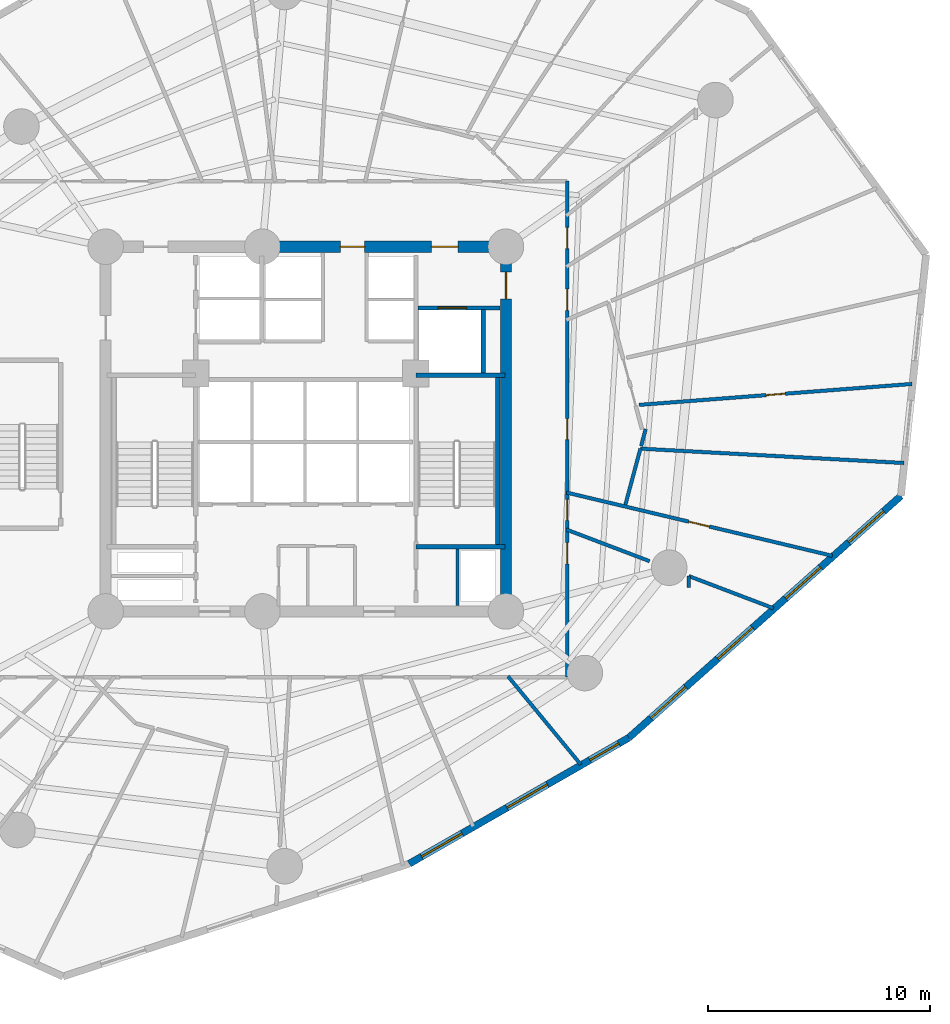
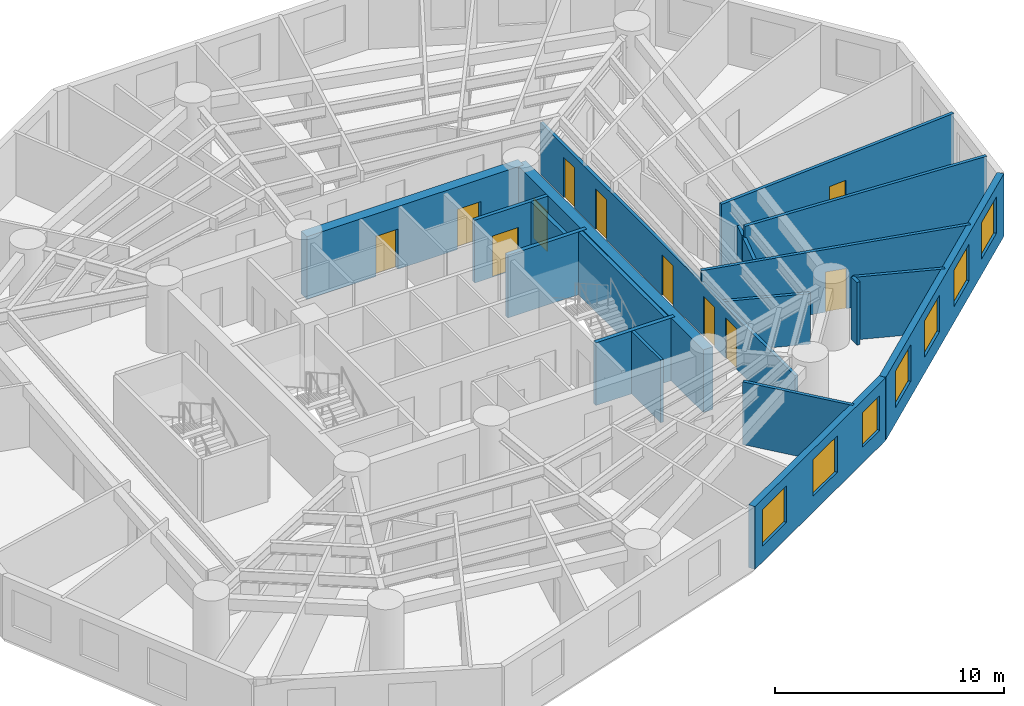
# One storey, part 5 of 8: 20 walls, 11 doors, 7 windows, 18 openings.
"""IFC4 building model written with IfcOpenShell, lengths in metres."""

from ifc_helpers import new_model, si_unit, direction, frame, frame_2d, origin, origin_with_axes, place, context, subcontext, project, spatial, rectangle, extrude, source, transform, mapped, material, layer, layer_set, type_object, element, fill, save


model = new_model("IFC4")

# Units and contexts
model_context = context("Model", 3, precision=1e-05, world=origin(), true_north=direction((0.0, 1.0)))
body_context = subcontext(model_context, "Body", "Model", "MODEL_VIEW")
ifc_project = project(units=[si_unit("LENGTHUNIT", "METRE"), si_unit("AREAUNIT", "SQUARE_METRE"), si_unit("VOLUMEUNIT", "CUBIC_METRE"), si_unit("PLANEANGLEUNIT", "RADIAN"), si_unit("MASSUNIT", "GRAM", prefix="KILO")], contexts=[model_context])

# Site, building, storey
site_placement = place(None, origin())
site = spatial("IfcSite", under=ifc_project, at=site_placement, CompositionType="ELEMENT")
building_placement = place(site_placement, origin())
building = spatial("IfcBuilding", under=site, at=building_placement, Name="Karkom Vertical University and Central Library", CompositionType="ELEMENT")
storey_placement = place(building_placement, frame((0.0, 0.0, 30.10009765625)))
storey = spatial("IfcBuildingStorey", under=building, at=storey_placement, Name="L07", CompositionType="ELEMENT", Elevation=30.10009765625)

# Wall, openings, windows
ifc_material_1 = material(Name="Brick-faced precast concrete C45/55", Category="masonry")
ifc_layer_1 = layer(ifc_material_1, 0.320068359375)
ifc_layer_set_1 = layer_set([ifc_layer_1], Name="Brick-faced precast concrete C45/55")
wall_type_1 = type_object("IfcWallType", Name="ENV-WL-BRK-320", PredefinedType="SOLIDWALL", material=ifc_layer_set_1)
wall_1_placement = place(storey_placement, frame((33.149169921875, 6.953125, 0.0), z_axis=(0.0, 0.0, 1.0), x_axis=(0.867417288738, 0.497581397561, 0.0)))
wall_1 = element("IfcWall", 1, at=wall_1_placement, inside=storey, type_object=wall_type_1, Name="Level 07 Brick-Faced Precast Facade Wall 07", PredefinedType="SOLIDWALL", context=body_context, shape_type="SweptSolid", body=[
    extrude(rectangle(XDim=11.38671875, YDim=0.320068359375, at=frame_2d((5.693359375, 0.0))), origin(), (0.0, 0.0, 1.0), 3.349853515625),
])
opening_1_placement = place(wall_1_placement, frame((0.64501953125, 0.0, 0.85009765625)))
opening_1 = element("IfcOpeningElement", 2, at=opening_1_placement, cuts=wall_1, Name="Opening WN-03", PredefinedType="OPENING", context=body_context, shape_type="SweptSolid", body=[
    extrude(rectangle(XDim=2.10009765625, YDim=1.949951171875, at=frame_2d((1.050048828125, 0.97509765625))), frame((0.0, 0.169921875, 0.0), z_axis=(0.0, -1.0, 0.0), x_axis=(1.0, 0.0, 0.0)), (0.0, 0.0, 1.0), 0.340087890625),
])
opening_2_placement = place(wall_1_placement, frame((5.0693359375, 0.0, 0.85009765625)))
opening_2 = element("IfcOpeningElement", 3, at=opening_2_placement, cuts=wall_1, Name="Opening WN-03", PredefinedType="OPENING", context=body_context, shape_type="SweptSolid", body=[
    extrude(rectangle(XDim=2.10009765625, YDim=1.949951171875, at=frame_2d((1.050048828125, 0.97509765625))), frame((0.0, 0.169921875, 0.0), z_axis=(0.0, -1.0, 0.0), x_axis=(1.0, 0.0, 0.0)), (0.0, 0.0, 1.0), 0.340087890625),
])
opening_3_placement = place(wall_1_placement, frame((9.36767578125, 0.0, 0.85009765625)))
opening_3 = element("IfcOpeningElement", 4, at=opening_3_placement, cuts=wall_1, Name="Opening WN-05", PredefinedType="OPENING", context=body_context, shape_type="SweptSolid", body=[
    extrude(rectangle(XDim=1.5, YDim=1.85009765625, at=frame_2d((0.75, 0.925048828125))), frame((0.0, 0.169921875, 0.0), z_axis=(0.0, -1.0, 0.0), x_axis=(1.0, 0.0, 0.0)), (0.0, 0.0, 1.0), 0.340087890625),
])
ifc_material_2 = material(Name="Aluminium thermal-break frame with solar-control IGU", Category="aluminium")
window_type_1 = type_object("IfcWindowType", Name="ENV-WIN-WN-03", PartitioningType="SINGLE_PANEL", PredefinedType="WINDOW", material=ifc_material_2)
shared_shape_1 = source(origin_with_axes(), body_context, "Body", "SweptSolid", [
    extrude(rectangle(XDim=2.10009765625, YDim=1.949951171875, at=frame_2d((1.050048828125, 0.97509765625))), frame((0.0, 0.030029296875, 0.0), z_axis=(0.0, -1.0, 0.0), x_axis=(1.0, 0.0, 0.0)), (0.0, 0.0, 1.0), 0.06005859375),
])
window_1_placement = place(opening_1_placement, origin())
window_1 = element("IfcWindow", 5, at=window_1_placement, inside=storey, type_object=window_type_1, Name="Level 07 Punched Window 7.1", OverallHeight=1.949951171875, OverallWidth=2.10009765625, PartitioningType="SINGLE_PANEL", PredefinedType="WINDOW", context=body_context, shape_type="MappedRepresentation", body=[
    mapped(shared_shape_1, transform((0.0, 0.0, 0.0), scale=1.0)),
])
fill(opening_1, window_1)
window_2_placement = place(opening_2_placement, origin())
window_2 = element("IfcWindow", 6, at=window_2_placement, inside=storey, type_object=window_type_1, Name="Level 07 Punched Window 7.2", OverallHeight=1.949951171875, OverallWidth=2.10009765625, PartitioningType="SINGLE_PANEL", PredefinedType="WINDOW", context=body_context, shape_type="MappedRepresentation", body=[
    mapped(shared_shape_1, transform((0.0, 0.0, 0.0), scale=1.0)),
])
fill(opening_2, window_2)
window_type_2 = type_object("IfcWindowType", Name="ENV-WIN-WN-05", PartitioningType="SINGLE_PANEL", PredefinedType="WINDOW", material=ifc_material_2)
shared_shape_2 = source(origin_with_axes(), body_context, "Body", "SweptSolid", [
    extrude(rectangle(XDim=1.5, YDim=1.85009765625, at=frame_2d((0.75, 0.925048828125))), frame((0.0, 0.030029296875, 0.0), z_axis=(0.0, -1.0, 0.0), x_axis=(1.0, 0.0, 0.0)), (0.0, 0.0, 1.0), 0.06005859375),
])
window_3_placement = place(opening_3_placement, origin())
window_3 = element("IfcWindow", 7, at=window_3_placement, inside=storey, type_object=window_type_2, Name="Level 07 Punched Window 7.3", OverallHeight=1.85009765625, OverallWidth=1.5, PartitioningType="SINGLE_PANEL", PredefinedType="WINDOW", context=body_context, shape_type="MappedRepresentation", body=[
    mapped(shared_shape_2, transform((0.0, 0.0, 0.0), scale=1.0)),
])
fill(opening_3, window_3)

wall_2_placement = place(storey_placement, frame((43.026123046875, 12.618896484375, 0.0), z_axis=(0.0, 0.0, 1.0), x_axis=(0.747496513351, 0.664265731864, 0.0)))
wall_2 = element("IfcWall", 8, at=wall_2_placement, inside=storey, type_object=wall_type_1, Name="Level 07 Brick-Faced Precast Facade Wall 08", PredefinedType="SOLIDWALL", context=body_context, shape_type="SweptSolid", body=[
    extrude(rectangle(XDim=16.373779296875, YDim=0.320068359375, at=frame_2d((8.18701171875, 0.0))), origin(), (0.0, 0.0, 1.0), 3.349853515625),
])
opening_4_placement = place(wall_2_placement, frame((1.33349609375, 0.0, 0.85009765625)))
opening_4 = element("IfcOpeningElement", 9, at=opening_4_placement, cuts=wall_2, Name="Opening WN-03", PredefinedType="OPENING", context=body_context, shape_type="SweptSolid", body=[
    extrude(rectangle(XDim=2.10009765625, YDim=1.949951171875, at=frame_2d((1.050048828125, 0.97509765625))), frame((0.0, 0.169921875, 0.0), z_axis=(0.0, -1.0, 0.0), x_axis=(1.0, 0.0, 0.0)), (0.0, 0.0, 1.0), 0.340087890625),
])
opening_5_placement = place(wall_2_placement, frame((5.3408203125, 0.0, 0.85009765625)))
opening_5 = element("IfcOpeningElement", 10, at=opening_5_placement, cuts=wall_2, Name="Opening WN-03", PredefinedType="OPENING", context=body_context, shape_type="SweptSolid", body=[
    extrude(rectangle(XDim=2.10009765625, YDim=1.949951171875, at=frame_2d((1.050048828125, 0.97509765625))), frame((0.0, 0.169921875, 0.0), z_axis=(0.0, -1.0, 0.0), x_axis=(1.0, 0.0, 0.0)), (0.0, 0.0, 1.0), 0.340087890625),
])
opening_6_placement = place(wall_2_placement, frame((9.435302734375, 0.0, 0.85009765625)))
opening_6 = element("IfcOpeningElement", 11, at=opening_6_placement, cuts=wall_2, Name="Opening WN-03", PredefinedType="OPENING", context=body_context, shape_type="SweptSolid", body=[
    extrude(rectangle(XDim=2.10009765625, YDim=1.949951171875, at=frame_2d((1.050048828125, 0.97509765625))), frame((0.0, 0.169921875, 0.0), z_axis=(0.0, -1.0, 0.0), x_axis=(1.0, 0.0, 0.0)), (0.0, 0.0, 1.0), 0.340087890625),
])
opening_7_placement = place(wall_2_placement, frame((13.23486328125, 0.0, 0.85009765625)))
opening_7 = element("IfcOpeningElement", 12, at=opening_7_placement, cuts=wall_2, Name="Opening WN-03", PredefinedType="OPENING", context=body_context, shape_type="SweptSolid", body=[
    extrude(rectangle(XDim=2.10009765625, YDim=1.949951171875, at=frame_2d((1.050048828125, 0.97509765625))), frame((0.0, 0.169921875, 0.0), z_axis=(0.0, -1.0, 0.0), x_axis=(1.0, 0.0, 0.0)), (0.0, 0.0, 1.0), 0.340087890625),
])
window_4_placement = place(opening_4_placement, origin())
window_4 = element("IfcWindow", 13, at=window_4_placement, inside=storey, type_object=window_type_1, Name="Level 07 Punched Window 8.1", OverallHeight=1.949951171875, OverallWidth=2.10009765625, PartitioningType="SINGLE_PANEL", PredefinedType="WINDOW", context=body_context, shape_type="MappedRepresentation", body=[
    mapped(shared_shape_1, transform((0.0, 0.0, 0.0), scale=1.0)),
])
fill(opening_4, window_4)
window_5_placement = place(opening_5_placement, origin())
window_5 = element("IfcWindow", 14, at=window_5_placement, inside=storey, type_object=window_type_1, Name="Level 07 Punched Window 8.2", OverallHeight=1.949951171875, OverallWidth=2.10009765625, PartitioningType="SINGLE_PANEL", PredefinedType="WINDOW", context=body_context, shape_type="MappedRepresentation", body=[
    mapped(shared_shape_1, transform((0.0, 0.0, 0.0), scale=1.0)),
])
fill(opening_5, window_5)
window_6_placement = place(opening_6_placement, origin())
window_6 = element("IfcWindow", 15, at=window_6_placement, inside=storey, type_object=window_type_1, Name="Level 07 Punched Window 8.3", OverallHeight=1.949951171875, OverallWidth=2.10009765625, PartitioningType="SINGLE_PANEL", PredefinedType="WINDOW", context=body_context, shape_type="MappedRepresentation", body=[
    mapped(shared_shape_1, transform((0.0, 0.0, 0.0), scale=1.0)),
])
fill(opening_6, window_6)
window_7_placement = place(opening_7_placement, origin())
window_7 = element("IfcWindow", 16, at=window_7_placement, inside=storey, type_object=window_type_1, Name="Level 07 Punched Window 8.4", OverallHeight=1.949951171875, OverallWidth=2.10009765625, PartitioningType="SINGLE_PANEL", PredefinedType="WINDOW", context=body_context, shape_type="MappedRepresentation", body=[
    mapped(shared_shape_1, transform((0.0, 0.0, 0.0), scale=1.0)),
])
fill(opening_7, window_7)

# Wall, openings, doors
ifc_material_3 = material(Name="Insulated metal-stud drywall 160mm", Category="gypsum")
ifc_layer_2 = layer(ifc_material_3, 0.159912109375)
ifc_layer_set_2 = layer_set([ifc_layer_2], Name="Insulated metal-stud drywall 160mm")
wall_type_2 = type_object("IfcWallType", Name="INT-WL-COR-160", PredefinedType="PARTITIONING", material=ifc_layer_set_2)
wall_3_placement = place(storey_placement, frame((40.25, 37.64990234375, 0.0), z_axis=(0.0, 0.0, 1.0), x_axis=(0.0, -1.0, 0.0)))
wall_3 = element("IfcWall", 17, at=wall_3_placement, inside=storey, type_object=wall_type_2, Name="Level 07 Interior Partition Wall Level 07-CORW-CW-004", PredefinedType="PARTITIONING", context=body_context, shape_type="SweptSolid", body=[
    extrude(rectangle(XDim=22.2998046875, YDim=0.159912109375, at=frame_2d((11.14990234375, 0.0))), origin(), (0.0, 0.0, 1.0), 2.75),
])
opening_8_placement = place(wall_3_placement, frame((16.25, 0.0, 0.0)))
opening_8 = element("IfcOpeningElement", 18, at=opening_8_placement, cuts=wall_3, Name="Opening FD-RM2", PredefinedType="OPENING", context=body_context, shape_type="SweptSolid", body=[
    extrude(rectangle(XDim=0.9599609375, YDim=2.14990234375, at=frame_2d((0.47998046875, 1.074951171875))), frame((0.0, 0.08984375, 0.0), z_axis=(0.0, -1.0, 0.0), x_axis=(1.0, 0.0, 0.0)), (0.0, 0.0, 1.0), 0.179931640625),
])
opening_9_placement = place(wall_3_placement, frame((14.31005859375, 0.0, 0.0)))
opening_9 = element("IfcOpeningElement", 19, at=opening_9_placement, cuts=wall_3, Name="Opening D-RM1", PredefinedType="OPENING", context=body_context, shape_type="SweptSolid", body=[
    extrude(rectangle(XDim=0.949951171875, YDim=2.14990234375, at=frame_2d((0.47509765625, 1.074951171875))), frame((0.0, 0.08984375, 0.0), z_axis=(0.0, -1.0, 0.0), x_axis=(1.0, 0.0, 0.0)), (0.0, 0.0, 1.0), 0.179931640625),
])
opening_10_placement = place(wall_3_placement, frame((10.675048828125, 0.0, 0.0)))
opening_10 = element("IfcOpeningElement", 20, at=opening_10_placement, cuts=wall_3, Name="Opening D-RM1", PredefinedType="OPENING", context=body_context, shape_type="SweptSolid", body=[
    extrude(rectangle(XDim=0.949951171875, YDim=2.14990234375, at=frame_2d((0.47509765625, 1.074951171875))), frame((0.0, 0.08984375, 0.0), z_axis=(0.0, -1.0, 0.0), x_axis=(1.0, 0.0, 0.0)), (0.0, 0.0, 1.0), 0.179931640625),
])
opening_11_placement = place(wall_3_placement, frame((4.860107421875, 0.0, 0.0)))
opening_11 = element("IfcOpeningElement", 21, at=opening_11_placement, cuts=wall_3, Name="Opening D-RM1", PredefinedType="OPENING", context=body_context, shape_type="SweptSolid", body=[
    extrude(rectangle(XDim=0.949951171875, YDim=2.14990234375, at=frame_2d((0.47509765625, 1.074951171875))), frame((0.0, 0.08984375, 0.0), z_axis=(0.0, -1.0, 0.0), x_axis=(1.0, 0.0, 0.0)), (0.0, 0.0, 1.0), 0.179931640625),
])
opening_12_placement = place(wall_3_placement, frame((2.07861328125, 0.0, 0.0)))
opening_12 = element("IfcOpeningElement", 22, at=opening_12_placement, cuts=wall_3, Name="Opening FD-RM2", PredefinedType="OPENING", context=body_context, shape_type="SweptSolid", body=[
    extrude(rectangle(XDim=0.9599609375, YDim=2.14990234375, at=frame_2d((0.47998046875, 1.074951171875))), frame((0.0, 0.08984375, 0.0), z_axis=(0.0, -1.0, 0.0), x_axis=(1.0, 0.0, 0.0)), (0.0, 0.0, 1.0), 0.179931640625),
])
ifc_material_4 = material(Name="Fire-rated oak veneer door", Category="wood")
door_type_1 = type_object("IfcDoorType", Name="INT-DR-FRM2", OperationType="NOTDEFINED", PredefinedType="DOOR", material=ifc_material_4)
shared_shape_3 = source(origin_with_axes(), body_context, "Body", "SweptSolid", [
    extrude(rectangle(XDim=0.9599609375, YDim=2.14990234375, at=frame_2d((0.47998046875, 1.074951171875))), frame((0.0, 0.02490234375, 0.0), z_axis=(0.0, -1.0, 0.0), x_axis=(1.0, 0.0, 0.0)), (0.0, 0.0, 1.0), 0.050048828125),
])
door_1_placement = place(opening_8_placement, origin())
door_1 = element("IfcDoor", 23, at=door_1_placement, inside=storey, type_object=door_type_1, Name="Level 07 Room Entry Door 110", OperationType="SINGLE_SWING_RIGHT", OverallHeight=2.14990234375, OverallWidth=0.9599609375, PredefinedType="DOOR", context=body_context, shape_type="MappedRepresentation", body=[
    mapped(shared_shape_3, transform((0.0, 0.0, 0.0), scale=1.0)),
])
fill(opening_8, door_1)
door_2_placement = place(opening_12_placement, origin())
door_2 = element("IfcDoor", 24, at=door_2_placement, inside=storey, type_object=door_type_1, Name="Level 07 Room Entry Door 190", OperationType="SINGLE_SWING_RIGHT", OverallHeight=2.14990234375, OverallWidth=0.9599609375, PredefinedType="DOOR", context=body_context, shape_type="MappedRepresentation", body=[
    mapped(shared_shape_3, transform((0.0, 0.0, 0.0), scale=1.0)),
])
fill(opening_12, door_2)
ifc_material_5 = material(Name="Solid-core oak veneer door", Category="wood")
door_type_2 = type_object("IfcDoorType", Name="INT-DR-RM1", OperationType="NOTDEFINED", PredefinedType="DOOR", material=ifc_material_5)
shared_shape_4 = source(origin_with_axes(), body_context, "Body", "SweptSolid", [
    extrude(rectangle(XDim=0.949951171875, YDim=2.14990234375, at=frame_2d((0.47509765625, 1.074951171875))), frame((0.0, 0.02490234375, 0.0), z_axis=(0.0, -1.0, 0.0), x_axis=(1.0, 0.0, 0.0)), (0.0, 0.0, 1.0), 0.050048828125),
])
door_3_placement = place(opening_9_placement, origin())
door_3 = element("IfcDoor", 25, at=door_3_placement, inside=storey, type_object=door_type_2, Name="Level 07 Room Entry Door 120", OperationType="SINGLE_SWING_LEFT", OverallHeight=2.14990234375, OverallWidth=0.949951171875, PredefinedType="DOOR", context=body_context, shape_type="MappedRepresentation", body=[
    mapped(shared_shape_4, transform((0.0, 0.0, 0.0), scale=1.0)),
])
fill(opening_9, door_3)
door_4_placement = place(opening_10_placement, origin())
door_4 = element("IfcDoor", 26, at=door_4_placement, inside=storey, type_object=door_type_2, Name="Level 07 Room Entry Door 150", OperationType="SINGLE_SWING_RIGHT", OverallHeight=2.14990234375, OverallWidth=0.949951171875, PredefinedType="DOOR", context=body_context, shape_type="MappedRepresentation", body=[
    mapped(shared_shape_4, transform((0.0, 0.0, 0.0), scale=1.0)),
])
fill(opening_10, door_4)
door_5_placement = place(opening_11_placement, origin())
door_5 = element("IfcDoor", 27, at=door_5_placement, inside=storey, type_object=door_type_2, Name="Level 07 Room Entry Door 180", OperationType="SINGLE_SWING_LEFT", OverallHeight=2.14990234375, OverallWidth=0.949951171875, PredefinedType="DOOR", context=body_context, shape_type="MappedRepresentation", body=[
    mapped(shared_shape_4, transform((0.0, 0.0, 0.0), scale=1.0)),
])
fill(opening_11, door_5)

# Wall, opening, door
wall_4_placement = place(storey_placement, frame((43.4912109375, 27.588623046875, 0.0), z_axis=(0.0, 0.0, 1.0), x_axis=(0.997075096782, 0.076428079775, 0.0)))
wall_4 = element("IfcWall", 28, at=wall_4_placement, inside=storey, type_object=wall_type_2, Name="Level 07 Interior Partition Wall Level 07-PW-027", PredefinedType="PARTITIONING", context=body_context, shape_type="SweptSolid", body=[
    extrude(rectangle(XDim=12.31103515625, YDim=0.159912109375, at=frame_2d((6.155517578125, 0.0))), origin(), (0.0, 0.0, 1.0), 3.349853515625),
])
opening_13_placement = place(wall_4_placement, frame((5.7255859375, 0.0, 0.0)))
opening_13 = element("IfcOpeningElement", 29, at=opening_13_placement, cuts=wall_4, Name="Opening FD-BTH2", PredefinedType="OPENING", context=body_context, shape_type="SweptSolid", body=[
    extrude(rectangle(XDim=0.860107421875, YDim=2.0400390625, at=frame_2d((0.43017578125, 1.02001953125))), frame((0.0, 0.08984375, 0.0), z_axis=(0.0, -1.0, 0.0), x_axis=(1.0, 0.0, 0.0)), (0.0, 0.0, 1.0), 0.179931640625),
])
ifc_material_6 = material(Name="Fire-rated moisture-resistant oak door", Category="wood")
door_type_3 = type_object("IfcDoorType", Name="INT-DR-FBTH2", OperationType="NOTDEFINED", PredefinedType="DOOR", material=ifc_material_6)
shared_shape_5 = source(origin_with_axes(), body_context, "Body", "SweptSolid", [
    extrude(rectangle(XDim=0.860107421875, YDim=2.0400390625, at=frame_2d((0.43017578125, 1.02001953125))), frame((0.0, 0.02490234375, 0.0), z_axis=(0.0, -1.0, 0.0), x_axis=(1.0, 0.0, 0.0)), (0.0, 0.0, 1.0), 0.050048828125),
])
door_6_placement = place(opening_13_placement, origin())
door_6 = element("IfcDoor", 30, at=door_6_placement, inside=storey, type_object=door_type_3, Name="Level 07 University Seminar Classroom Entry Door", OperationType="SINGLE_SWING_LEFT", OverallHeight=2.0400390625, OverallWidth=0.860107421875, PredefinedType="DOOR", context=body_context, shape_type="MappedRepresentation", body=[
    mapped(shared_shape_5, transform((0.0, 0.0, 0.0), scale=1.0)),
])
fill(opening_13, door_6)

wall_5_placement = place(storey_placement, frame((40.220703125, 23.647705078125, 0.0), z_axis=(0.0, 0.0, 1.0), x_axis=(0.972812607738, -0.231593674838, 0.0)))
wall_5 = element("IfcWall", 31, at=wall_5_placement, inside=storey, type_object=wall_type_2, Name="Level 07 Interior Partition Wall Level 07-PW-022", PredefinedType="PARTITIONING", context=body_context, shape_type="SweptSolid", body=[
    extrude(rectangle(XDim=12.291748046875, YDim=0.159912109375, at=frame_2d((6.14599609375, 0.0))), origin(), (0.0, 0.0, 1.0), 3.349853515625),
])
opening_14_placement = place(wall_5_placement, frame((5.6533203125, 0.0, 0.0)))
opening_14 = element("IfcOpeningElement", 32, at=opening_14_placement, cuts=wall_5, Name="Opening FD-RM2", PredefinedType="OPENING", context=body_context, shape_type="SweptSolid", body=[
    extrude(rectangle(XDim=0.9599609375, YDim=2.14990234375, at=frame_2d((0.47998046875, 1.074951171875))), frame((0.0, 0.08984375, 0.0), z_axis=(0.0, -1.0, 0.0), x_axis=(1.0, 0.0, 0.0)), (0.0, 0.0, 1.0), 0.179931640625),
])
door_7_placement = place(opening_14_placement, origin())
door_7 = element("IfcDoor", 33, at=door_7_placement, inside=storey, type_object=door_type_1, Name="Level 07 Room Entry Door 130", OperationType="SINGLE_SWING_LEFT", OverallHeight=2.14990234375, OverallWidth=0.9599609375, PredefinedType="DOOR", context=body_context, shape_type="MappedRepresentation", body=[
    mapped(shared_shape_3, transform((0.0, 0.0, 0.0), scale=1.0)),
])
fill(opening_14, door_7)

# Walls
wall_6_placement = place(storey_placement, frame((43.547119140625, 25.620361328125, 0.0), z_axis=(0.0, 0.0, 1.0), x_axis=(0.998520221124, -0.054381688154, 0.0)))
element("IfcWall", 34, at=wall_6_placement, inside=storey, type_object=wall_type_2, Name="Level 07 Interior Partition Wall Level 07-PW-023", PredefinedType="PARTITIONING", context=body_context, shape_type="SweptSolid", body=[
    extrude(rectangle(XDim=11.865478515625, YDim=0.159912109375, at=frame_2d((5.9326171875, 0.0))), origin(), (0.0, 0.0, 1.0), 3.349853515625),
])
wall_7_placement = place(storey_placement, frame((37.59130859375, 15.384765625, 0.0), z_axis=(0.0, 0.0, 1.0), x_axis=(0.636330072428, -0.771416903447, 0.0)))
element("IfcWall", 35, at=wall_7_placement, inside=storey, type_object=wall_type_2, Name="Level 07 Interior Partition Wall Level 07-PW-018", PredefinedType="PARTITIONING", context=body_context, shape_type="SweptSolid", body=[
    extrude(rectangle(XDim=5.15087890625, YDim=0.159912109375, at=frame_2d((2.575439453125, 0.0))), origin(), (0.0, 0.0, 1.0), 3.349853515625),
])
wall_8_placement = place(storey_placement, frame((45.720947265625, 19.890625, 0.0), z_axis=(0.0, 0.0, 1.0), x_axis=(0.934769259563, -0.355255445244, 0.0)))
element("IfcWall", 36, at=wall_8_placement, inside=storey, type_object=wall_type_2, Name="Level 07 Interior Partition Wall Level 07-PW-021", PredefinedType="PARTITIONING", context=body_context, shape_type="SweptSolid", body=[
    extrude(rectangle(XDim=4.075927734375, YDim=0.159912109375, at=frame_2d((2.0380859375, 0.0))), origin(), (0.0, 0.0, 1.0), 3.349853515625),
])
wall_9_placement = place(storey_placement, frame((40.2080078125, 21.986083984375, 0.0), z_axis=(0.0, 0.0, 1.0), x_axis=(0.934750462278, -0.35530490184, 0.0)))
element("IfcWall", 37, at=wall_9_placement, inside=storey, type_object=wall_type_2, Name="Level 07 Interior Partition Wall Level 07-PW-019", PredefinedType="PARTITIONING", context=body_context, shape_type="SweptSolid", body=[
    extrude(rectangle(XDim=4.014892578125, YDim=0.159912109375, at=frame_2d((2.00732421875, 0.0))), origin(), (0.0, 0.0, 1.0), 2.699951171875),
])
wall_10_placement = place(storey_placement, frame((42.873291015625, 23.105712890625, 0.0), z_axis=(0.0, 0.0, 1.0), x_axis=(0.258829835029, 0.965922935072, 0.0)))
element("IfcWall", 38, at=wall_10_placement, inside=storey, type_object=wall_type_2, Name="Level 07 Interior Partition Wall Level 07-PW-024", PredefinedType="PARTITIONING", context=body_context, shape_type="SweptSolid", body=[
    extrude(rectangle(XDim=2.603271484375, YDim=0.159912109375, at=frame_2d((1.3017578125, 0.0))), origin(), (0.0, 0.0, 1.0), 2.75),
])
wall_11_placement = place(storey_placement, frame((43.578857421875, 25.73876953125, 0.0), z_axis=(0.0, 0.0, 1.0), x_axis=(0.258684466591, 0.965961876445, 0.0)))
element("IfcWall", 39, at=wall_11_placement, inside=storey, type_object=wall_type_2, Name="Level 07 Interior Partition Wall Level 07-PW-025", PredefinedType="PARTITIONING", context=body_context, shape_type="SweptSolid", body=[
    extrude(rectangle(XDim=0.7880859375, YDim=0.159912109375, at=frame_2d((0.39404296875, 0.0))), origin(), (0.0, 0.0, 1.0), 2.75),
])
wall_12_placement = place(storey_placement, frame((45.720947265625, 19.386962890625, 0.0), z_axis=(0.0, 0.0, 1.0), x_axis=(0.0, 1.0, 0.0)))
element("IfcWall", 40, at=wall_12_placement, inside=storey, type_object=wall_type_2, Name="Level 07 Interior Partition Wall Level 07-PW-020", PredefinedType="PARTITIONING", context=body_context, shape_type="SweptSolid", body=[
    extrude(rectangle(XDim=0.503662109375, YDim=0.159912109375, at=frame_2d((0.251953125, 0.0))), origin(), (0.0, 0.0, 1.0), 3.349853515625),
])
ifc_material_7 = material(Name="Metal-stud gypsum partition 140mm", Category="gypsum")
ifc_layer_3 = layer(ifc_material_7, 0.139892578125)
ifc_layer_set_3 = layer_set([ifc_layer_3], Name="Metal-stud gypsum partition 140mm")
wall_type_3 = type_object("IfcWallType", Name="INT-WL-SUB-140H", PredefinedType="PARTITIONING", material=ifc_layer_set_3)
wall_13_placement = place(storey_placement, frame((35.320068359375, 18.556884765625, 0.0), z_axis=(0.0, 0.0, 1.0), x_axis=(0.0, 1.0, 0.0)))
element("IfcWall", 41, at=wall_13_placement, inside=storey, type_object=wall_type_3, Name="Level 07 Interior Partition Wall Level 07-CW-RIS-E", PredefinedType="PARTITIONING", context=body_context, shape_type="SweptSolid", body=[
    extrude(rectangle(XDim=2.553466796875, YDim=0.139892578125, at=frame_2d((1.27685546875, 0.0))), origin(), (0.0, 0.0, 1.0), 3.349853515625),
])

# Wall, opening, door
ifc_material_8 = material(Name="Twin-stud acoustic drywall 180mm", Category="gypsum")
ifc_layer_4 = layer(ifc_material_8, 0.179931640625)
ifc_layer_set_4 = layer_set([ifc_layer_4], Name="Twin-stud acoustic drywall 180mm")
wall_type_4 = type_object("IfcWallType", Name="INT-WL-TEN-180F", PredefinedType="PARTITIONING", material=ifc_layer_set_4)
wall_14_placement = place(storey_placement, frame((33.534912109375, 31.949951171875, 0.0), z_axis=(0.0, 0.0, 1.0), x_axis=(1.0, 0.0, 0.0)))
wall_14 = element("IfcWall", 42, at=wall_14_placement, inside=storey, type_object=wall_type_4, Name="Level 07 Interior Partition Wall Level 07-CW-SVL-N", PredefinedType="PARTITIONING", context=body_context, shape_type="SweptSolid", body=[
    extrude(rectangle(XDim=3.708740234375, YDim=0.179931640625, at=frame_2d((1.8544921875, 0.0))), origin(), (0.0, 0.0, 1.0), 3.349853515625),
])
opening_15_placement = place(wall_14_placement, frame((0.89990234375, 0.0, 0.0)))
opening_15 = element("IfcOpeningElement", 43, at=opening_15_placement, cuts=wall_14, Name="Opening LD-SV1", PredefinedType="OPENING", context=body_context, shape_type="SweptSolid", body=[
    extrude(rectangle(XDim=1.300048828125, YDim=2.199951171875, at=frame_2d((0.64990234375, 1.10009765625))), frame((0.0, 0.10009765625, 0.0), z_axis=(0.0, -1.0, 0.0), x_axis=(1.0, 0.0, 0.0)), (0.0, 0.0, 1.0), 0.199951171875),
])
ifc_material_9 = material(Name="Brushed stainless-steel landing door", Category="steel")
door_type_4 = type_object("IfcDoorType", Name="INT-DR-LD-SV1", OperationType="SLIDING_TO_LEFT", PredefinedType="DOOR", material=ifc_material_9)
shared_shape_6 = source(origin_with_axes(), body_context, "Body", "SweptSolid", [
    extrude(rectangle(XDim=1.300048828125, YDim=2.199951171875, at=frame_2d((0.64990234375, 1.10009765625))), frame((0.0, 0.02490234375, 0.0), z_axis=(0.0, -1.0, 0.0), x_axis=(1.0, 0.0, 0.0)), (0.0, 0.0, 1.0), 0.050048828125),
])
door_8_placement = place(opening_15_placement, origin())
door_8 = element("IfcDoor", 44, at=door_8_placement, inside=storey, type_object=door_type_4, Name="Level 07 Service Lift Landing Door LD-SV1", OperationType="SLIDING_TO_LEFT", OverallHeight=2.199951171875, OverallWidth=1.300048828125, PredefinedType="DOOR", context=body_context, shape_type="MappedRepresentation", body=[
    mapped(shared_shape_6, transform((0.0, 0.0, 0.0), scale=1.0)),
])
fill(opening_15, door_8)

ifc_material_10 = material(Name="Concrete C50/60", Category="concrete")
ifc_layer_5 = layer(ifc_material_10, 0.5)
ifc_layer_set_5 = layer_set([ifc_layer_5], Name="Concrete C50/60")
wall_type_5 = type_object("IfcWallType", Name="STR-WL-CW-500", PredefinedType="SHEAR", material=ifc_layer_set_5)
wall_15_placement = place(storey_placement, frame((37.5, 18.300048828125, 0.0), z_axis=(0.0, 0.0, 1.0), x_axis=(0.0, 1.0, 0.0)))
wall_15 = element("IfcWall", 45, at=wall_15_placement, inside=storey, type_object=wall_type_5, Name="Level 07 Central Core Shear Wall EW", PredefinedType="SHEAR", context=body_context, shape_type="SweptSolid", body=[
    extrude(rectangle(XDim=16.39990234375, YDim=0.5, at=frame_2d((8.199951171875, 0.0))), origin(), (0.0, 0.0, 1.0), 3.349853515625),
])
opening_16_placement = place(wall_15_placement, frame((14.06005859375, 0.0, 0.0)))
opening_16 = element("IfcOpeningElement", 46, at=opening_16_placement, cuts=wall_15, Name="Opening FD-SUB1", PredefinedType="OPENING", context=body_context, shape_type="SweptSolid", body=[
    extrude(rectangle(XDim=1.199951171875, YDim=2.14990234375, at=frame_2d((0.60009765625, 1.074951171875))), frame((0.0, 0.260009765625, 0.0), z_axis=(0.0, -1.0, 0.0), x_axis=(1.0, 0.0, 0.0)), (0.0, 0.0, 1.0), 0.52001953125),
])
ifc_material_11 = material(Name="Painted steel fire door", Category="steel")
door_type_5 = type_object("IfcDoorType", Name="INT-DR-SUB1", OperationType="NOTDEFINED", PredefinedType="DOOR", material=ifc_material_11)
shared_shape_7 = source(origin_with_axes(), body_context, "Body", "SweptSolid", [
    extrude(rectangle(XDim=1.199951171875, YDim=2.14990234375, at=frame_2d((0.60009765625, 1.074951171875))), frame((0.0, 0.02490234375, 0.0), z_axis=(0.0, -1.0, 0.0), x_axis=(1.0, 0.0, 0.0)), (0.0, 0.0, 1.0), 0.050048828125),
])
door_9_placement = place(opening_16_placement, origin())
door_9 = element("IfcDoor", 47, at=door_9_placement, inside=storey, type_object=door_type_5, Name="Level 07 East Corridor Service Lobby Door", OperationType="SINGLE_SWING_RIGHT", OverallHeight=2.14990234375, OverallWidth=1.199951171875, PredefinedType="DOOR", context=body_context, shape_type="MappedRepresentation", body=[
    mapped(shared_shape_7, transform((0.0, 0.0, 0.0), scale=1.0)),
])
fill(opening_16, door_9)

# Wall, openings, doors
wall_16_placement = place(storey_placement, frame((37.5, 34.699951171875, 0.0), z_axis=(0.0, 0.0, 1.0), x_axis=(-1.0, 0.0, 0.0)))
wall_16 = element("IfcWall", 48, at=wall_16_placement, inside=storey, type_object=wall_type_5, Name="Level 07 Central Core Shear Wall NW1", PredefinedType="SHEAR", context=body_context, shape_type="SweptSolid", body=[
    extrude(rectangle(XDim=10.949951171875, YDim=0.5, at=frame_2d((5.47509765625, 0.0))), origin(), (0.0, 0.0, 1.0), 3.349853515625),
])
opening_17_placement = place(wall_16_placement, frame((2.14990234375, 0.0, 0.0)))
opening_17 = element("IfcOpeningElement", 49, at=opening_17_placement, cuts=wall_16, Name="Opening FD-SUB1", PredefinedType="OPENING", context=body_context, shape_type="SweptSolid", body=[
    extrude(rectangle(XDim=1.199951171875, YDim=2.14990234375, at=frame_2d((0.60009765625, 1.074951171875))), frame((0.0, 0.260009765625, 0.0), z_axis=(0.0, -1.0, 0.0), x_axis=(1.0, 0.0, 0.0)), (0.0, 0.0, 1.0), 0.52001953125),
])
opening_18_placement = place(wall_16_placement, frame((6.35009765625, 0.0, 0.0)))
opening_18 = element("IfcOpeningElement", 50, at=opening_18_placement, cuts=wall_16, Name="Opening FD-FFL", PredefinedType="OPENING", context=body_context, shape_type="SweptSolid", body=[
    extrude(rectangle(XDim=1.10009765625, YDim=2.14990234375, at=frame_2d((0.550048828125, 1.074951171875))), frame((0.0, 0.260009765625, 0.0), z_axis=(0.0, -1.0, 0.0), x_axis=(1.0, 0.0, 0.0)), (0.0, 0.0, 1.0), 0.52001953125),
])
ifc_material_12 = material(Name="Painted steel smoke-seal fire door", Category="steel")
door_type_6 = type_object("IfcDoorType", Name="INT-DR-FFL", OperationType="NOTDEFINED", PredefinedType="DOOR", material=ifc_material_12)
shared_shape_8 = source(origin_with_axes(), body_context, "Body", "SweptSolid", [
    extrude(rectangle(XDim=1.10009765625, YDim=2.14990234375, at=frame_2d((0.550048828125, 1.074951171875))), frame((0.0, 0.02490234375, 0.0), z_axis=(0.0, -1.0, 0.0), x_axis=(1.0, 0.0, 0.0)), (0.0, 0.0, 1.0), 0.050048828125),
])
door_10_placement = place(opening_18_placement, origin())
door_10 = element("IfcDoor", 51, at=door_10_placement, inside=storey, type_object=door_type_6, Name="Level 07 North Core Lobby Exit Door", OperationType="SINGLE_SWING_LEFT", OverallHeight=2.14990234375, OverallWidth=1.10009765625, PredefinedType="DOOR", context=body_context, shape_type="MappedRepresentation", body=[
    mapped(shared_shape_8, transform((0.0, 0.0, 0.0), scale=1.0)),
])
fill(opening_18, door_10)
door_11_placement = place(opening_17_placement, origin())
door_11 = element("IfcDoor", 52, at=door_11_placement, inside=storey, type_object=door_type_5, Name="Level 07 Service Lobby Fire Door", OperationType="SINGLE_SWING_LEFT", OverallHeight=2.14990234375, OverallWidth=1.199951171875, PredefinedType="DOOR", context=body_context, shape_type="MappedRepresentation", body=[
    mapped(shared_shape_7, transform((0.0, 0.0, 0.0), scale=1.0)),
])
fill(opening_17, door_11)

# Walls
ifc_material_13 = material(Name="Concrete C45/55", Category="concrete")
ifc_layer_6 = layer(ifc_material_13, 0.199951171875)
ifc_layer_set_6 = layer_set([ifc_layer_6], Name="Concrete C45/55")
wall_type_6 = type_object("IfcWallType", Name="STR-WL-ST-200", PredefinedType="SHEAR", material=ifc_layer_set_6)
wall_17_placement = place(storey_placement, frame((37.125, 21.320068359375, 0.0), z_axis=(0.0, 0.0, 1.0), x_axis=(0.0, 1.0, 0.0)))
element("IfcWall", 53, at=wall_17_placement, inside=storey, type_object=wall_type_6, Name="Level 07 Core Shaft Wall Level 07-CW-ST2-E", PredefinedType="SHEAR", context=body_context, shape_type="SweptSolid", body=[
    extrude(rectangle(XDim=7.5, YDim=0.199951171875, at=frame_2d((3.75, 0.0))), origin(), (0.0, 0.0, 1.0), 3.349853515625),
])
for number, where, z_axis, x_axis, name in (
    (54, (33.455078125, 21.215087890625, 0.0), (0.0, 0.0, 1.0), (1.0, 0.0, 0.0), "Level 07 Core Shaft Wall Level 07-CW-ST2-S"),
    (55, (33.455078125, 28.925048828125, 0.0), (0.0, 0.0, 1.0), (1.0, 0.0, 0.0), "Level 07 Core Shaft Wall Level 07-CW-ST2-N"),
):
    element("IfcWall", number, at=place(storey_placement, frame(where, z_axis=z_axis, x_axis=x_axis)), inside=storey, type_object=wall_type_6, Name=name, PredefinedType="SHEAR", context=body_context, shape_type="SweptSolid", body=[
        extrude(rectangle(XDim=3.994873046875, YDim=0.199951171875, at=frame_2d((1.99755859375, 0.0))), origin(), (0.0, 0.0, 1.0), 3.349853515625),
    ])
wall_18_placement = place(storey_placement, frame((36.47998046875, 29.02001953125, 0.0), z_axis=(0.0, 0.0, 1.0), x_axis=(0.0, 1.0, 0.0)))
element("IfcWall", 56, at=wall_18_placement, inside=storey, type_object=wall_type_6, Name="Level 07 Core Shaft Wall Level 07-CW-SVL-E", PredefinedType="SHEAR", context=body_context, shape_type="SweptSolid", body=[
    extrude(rectangle(XDim=2.85986328125, YDim=0.199951171875, at=frame_2d((1.429931640625, 0.0))), origin(), (0.0, 0.0, 1.0), 3.349853515625),
])

save(model, "model.ifc")
